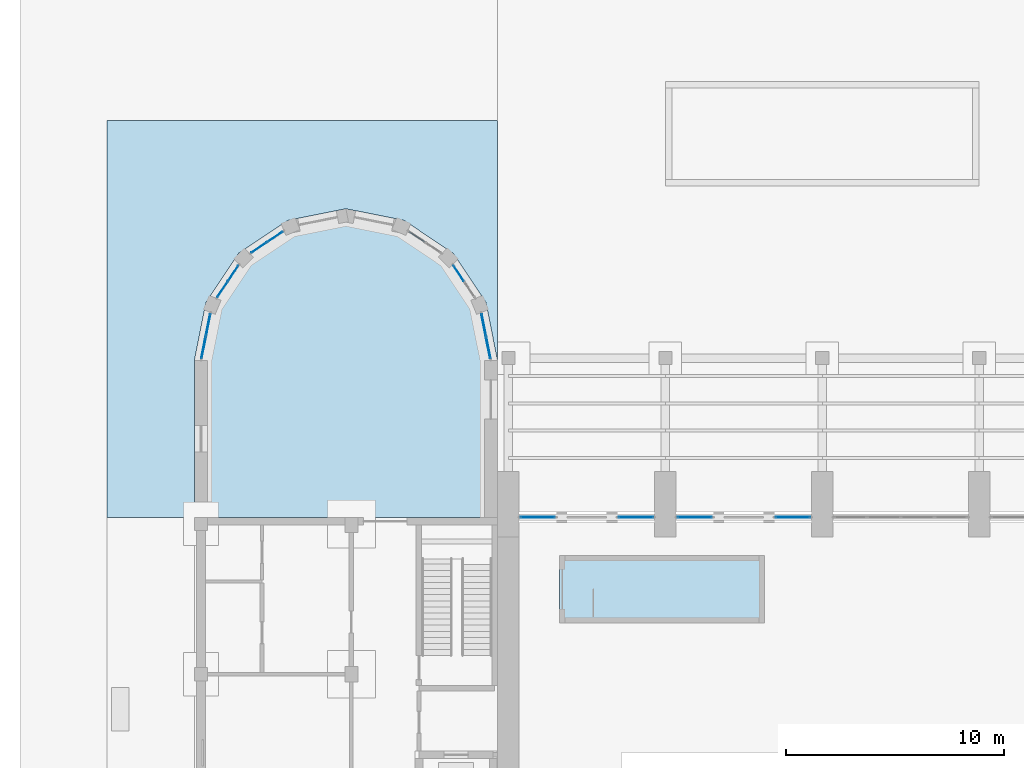
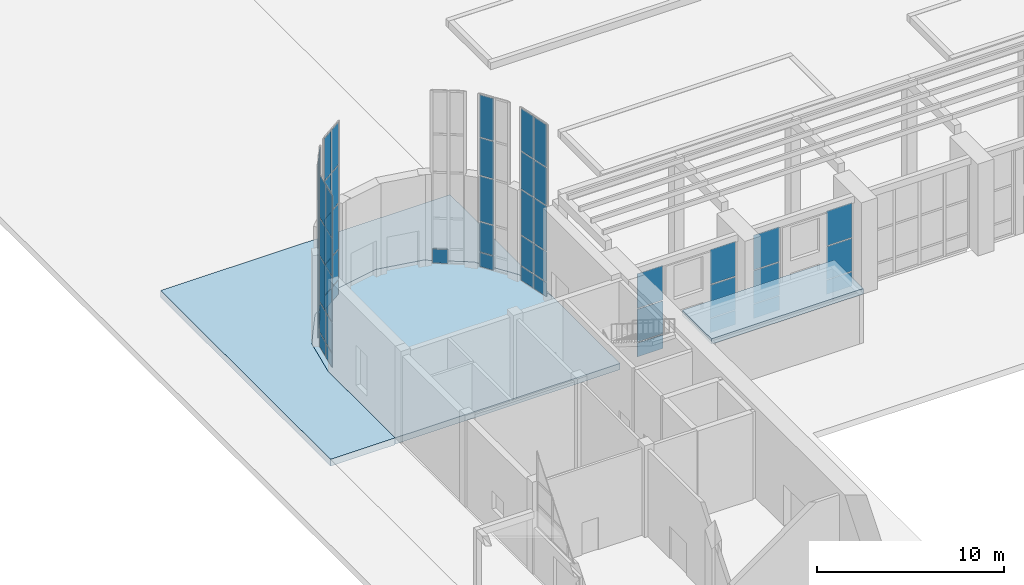
# One storey, part 31 of 70: 58 plates, 3 slabs, 10 elements without a shape of their own.
"""IFC4 building model written with IfcOpenShell, lengths in metres."""

import ifcopenshell
import ifcopenshell.guid

model = None  # the IFC model being written
_history = None  # IfcOwnerHistory: only IFC2X3 demands one
_inside = {}  # id of a spatial element -> (the spatial element, [elements in it])
_under = {}  # id of a project, library or spatial element -> (it, [spatial elements below it])
_declared = {}  # id of a project -> (the project, [libraries it declares])
_typed = {}  # id of a type object -> (the type object, [elements of that type])
_made_of = {}  # id of a material, layer set ... -> (it, [elements and type objects made of it])


def new_model(schema):
    """Start an empty IFC model of exactly this schema.

    Asked for "IFC4X3", IfcOpenShell would pick the latest addendum, in which some entities
    have other attributes; the version numbers below select the first issue.
    IFC2X3 requires an IfcOwnerHistory on every rooted entity: one is made here for all.
    """
    global model, _history
    if schema == "IFC4X3":
        model = ifcopenshell.file(schema_version=(4, 3, 0, 0))
    else:
        model = ifcopenshell.file(schema=schema)
    _inside.clear()
    _under.clear()
    _declared.clear()
    _typed.clear()
    _made_of.clear()
    _history = None
    if model.schema == "IFC2X3":
        org = make("IfcOrganization", Name="unknown")
        user = make(
            "IfcPersonAndOrganization",
            ThePerson=make("IfcPerson", FamilyName="unknown"),
            TheOrganization=org,
        )
        app = make(
            "IfcApplication",
            ApplicationDeveloper=org,
            Version="unknown",
            ApplicationFullName="unknown",
            ApplicationIdentifier="unknown",
        )
        _history = make(
            "IfcOwnerHistory",
            OwningUser=user,
            OwningApplication=app,
            ChangeAction="ADDED",
            CreationDate=0,
        )
    return model


def make(cls, **values):
    """One entity of the class cls with the attributes given. An attribute that is None is left unset."""
    return model.create_entity(
        cls, **{name: value for name, value in values.items() if value is not None}
    )


def rooted(cls, **values):
    """An entity with a GlobalId (a new one), such as an element, a storey or a relation."""
    return make(cls, GlobalId=ifcopenshell.guid.new(), OwnerHistory=_history, **values)


def si_unit(unit_type, name, prefix=None):
    """IfcSIUnit, for example si_unit("LENGTHUNIT", "METRE", prefix="MILLI")."""
    return make("IfcSIUnit", UnitType=unit_type, Prefix=prefix, Name=name)


def assignment(units):
    """IfcUnitAssignment: the units of a project."""
    return None if units is None else make("IfcUnitAssignment", Units=units)


def point(xyz):
    """IfcCartesianPoint."""
    return None if xyz is None else make("IfcCartesianPoint", Coordinates=xyz)


def direction(xyz):
    """IfcDirection."""
    return None if xyz is None else make("IfcDirection", DirectionRatios=xyz)


def frame(location, z_axis=None, x_axis=None):
    """IfcAxis2Placement3D, a coordinate frame: its origin and axes. An axis left out is left unset."""
    return make(
        "IfcAxis2Placement3D",
        Location=point(location),
        Axis=direction(z_axis),
        RefDirection=direction(x_axis),
    )


def frame_2d(location, x_axis=None):
    """IfcAxis2Placement2D, a coordinate frame in the plane: its origin and x axis."""
    return make(
        "IfcAxis2Placement2D", Location=point(location), RefDirection=direction(x_axis)
    )


def origin():
    """The frame at (0, 0, 0) with its axes left unset."""
    return frame((0.0, 0.0, 0.0))


def origin_2d():
    """The frame at (0, 0) in the plane with its x axis left unset."""
    return frame_2d((0.0, 0.0))


def place(relative_to, where):
    """IfcLocalPlacement: puts the frame where relative to a parent placement (None: the world)."""
    return make(
        "IfcLocalPlacement", PlacementRelTo=relative_to, RelativePlacement=where
    )


def context(
    kind, dimensions, precision=None, world=None, true_north=None, identifier=None
):
    """IfcGeometricRepresentationContext, for example the 3D "Model" context."""
    return make(
        "IfcGeometricRepresentationContext",
        ContextIdentifier=identifier,
        ContextType=kind,
        CoordinateSpaceDimension=dimensions,
        Precision=precision,
        WorldCoordinateSystem=world,
        TrueNorth=true_north,
    )


def subcontext(parent, identifier, kind, view, scale=None):
    """IfcGeometricRepresentationSubContext, for example "Body" below "Model"."""
    return make(
        "IfcGeometricRepresentationSubContext",
        ContextIdentifier=identifier,
        ContextType=kind,
        ParentContext=parent,
        TargetScale=scale,
        TargetView=view,
    )


def project(units=None, contexts=None):
    """IfcProject with its units and contexts."""
    return rooted(
        "IfcProject",
        Name="project",
        RepresentationContexts=contexts,
        UnitsInContext=assignment(units),
    )


def spatial(cls, under=None, at=None, **own):
    """A site, building, storey or space (cls), placed at a placement, below another one or the project."""
    s = rooted(cls, ObjectPlacement=at, **own)
    if under is not None:
        _under.setdefault(under.id(), (under, []))[1].append(s)
    return s


def polyline(points):
    """IfcPolyline through the points."""
    return make("IfcPolyline", Points=[point(p) for p in points])


def profile(cls, at=None, kind="AREA", **sizes):
    """A parametric profile (cls). Its sizes go by their IFC names, for example OverallWidth=200.0."""
    return make(cls, ProfileType=kind, Position=at, **sizes)


def rectangle(**sizes):
    """IfcRectangleProfileDef."""
    return profile("IfcRectangleProfileDef", **sizes)


def outline(outer, holes=None, kind="AREA"):
    """IfcArbitraryClosedProfileDef: a profile drawn as a closed curve; with holes, ...WithVoids."""
    if holes is None:
        return make("IfcArbitraryClosedProfileDef", ProfileType=kind, OuterCurve=outer)
    return make(
        "IfcArbitraryProfileDefWithVoids",
        ProfileType=kind,
        OuterCurve=outer,
        InnerCurves=holes,
    )


def extrude(swept, where, along, depth):
    """IfcExtrudedAreaSolid: the profile swept, set in the frame where, extruded along a direction by depth."""
    return make(
        "IfcExtrudedAreaSolid",
        SweptArea=swept,
        Position=where,
        ExtrudedDirection=direction(along),
        Depth=depth,
    )


def shape(context_of_items, identifier, shape_type, items):
    """IfcShapeRepresentation: the items that make up one representation, for example the "Body"."""
    return make(
        "IfcShapeRepresentation",
        ContextOfItems=context_of_items,
        RepresentationIdentifier=identifier,
        RepresentationType=shape_type,
        Items=items,
    )


def material(Name=None, Category=None):
    """IfcMaterial."""
    return make("IfcMaterial", Name=Name, Category=Category)


def layer(
    of_material, thickness, ventilated=None, Name=None, Category=None, Priority=None
):
    """IfcMaterialLayer: one layer of a wall or slab, of a material (None: an air gap)."""
    return make(
        "IfcMaterialLayer",
        Material=of_material,
        LayerThickness=thickness,
        IsVentilated=ventilated,
        Name=Name,
        Category=Category,
        Priority=Priority,
    )


def layer_set(layers, Name=None):
    """IfcMaterialLayerSet."""
    return make("IfcMaterialLayerSet", MaterialLayers=layers, LayerSetName=Name)


def made_of(thing, what):
    """Note that an element or type object is made of a material, layer set ...; save() writes the relation."""
    if what is not None:
        _made_of.setdefault(what.id(), (what, []))[1].append(thing)
    return thing


def type_object(cls, material=None, **own):
    """A type object (cls), such as IfcWallType, which elements share."""
    return made_of(rooted(cls, **own), material)


def element(
    cls,
    number,
    at=None,
    inside=None,
    cuts=None,
    type_object=None,
    material=None,
    context=None,
    identifier="Body",
    shape_type=None,
    held_by="IfcProductDefinitionShape",
    body=None,
    shapes=None,
    **own,
):
    """One element of the class cls, such as IfcWall. Its Tag is "e" and its number.

    at: its placement. inside: the storey or other place that contains it. cuts: it is an
    opening in that element (IfcRelVoidsElement). A single representation is given by context,
    identifier, shape_type and body (its items); several are given by shapes. held_by: the class
    of the entity that holds the representations. save() writes the other relations.
    """
    e = rooted(cls, Tag="e%d" % number, ObjectPlacement=at, **own)
    if body is not None:
        shapes = [shape(context, identifier, shape_type, body)]
    if shapes is not None:
        e.Representation = make(held_by, Representations=shapes)
    if inside is not None:
        _inside.setdefault(inside.id(), (inside, []))[1].append(e)
    if cuts is not None:
        rooted(
            "IfcRelVoidsElement", RelatingBuildingElement=cuts, RelatedOpeningElement=e
        )
    if type_object is not None:
        _typed.setdefault(type_object.id(), (type_object, []))[1].append(e)
    return made_of(e, material)


def aggregate(whole, parts):
    """IfcRelAggregates: a whole, such as a stair, and the parts it consists of."""
    return rooted("IfcRelAggregates", RelatingObject=whole, RelatedObjects=parts)


def save(model, path):
    """Write the relations noted so far, then the file.

    IfcRelAggregates (storeys below a building ...), IfcRelContainedInSpatialStructure (elements
    in a storey), IfcRelDefinesByType, IfcRelAssociatesMaterial and IfcRelDeclares: one each for
    every whole, place, type object, material and project.
    """
    for whole, parts in _under.values():
        aggregate(whole, parts)
    for where, things in _inside.values():
        rooted(
            "IfcRelContainedInSpatialStructure",
            RelatedElements=things,
            RelatingStructure=where,
        )
    for kind, things in _typed.values():
        rooted("IfcRelDefinesByType", RelatedObjects=things, RelatingType=kind)
    for what, things in _made_of.values():
        rooted("IfcRelAssociatesMaterial", RelatedObjects=things, RelatingMaterial=what)
    for by, libraries in _declared.values():
        rooted("IfcRelDeclares", RelatingContext=by, RelatedDefinitions=libraries)
    model.write(path)


model = new_model("IFC4")

# Units and contexts
model_context = context("Model", 3, precision=1e-05, world=origin(), true_north=direction((0.0, 1.0)))
body_context = subcontext(model_context, "Body", "Model", "MODEL_VIEW")
ifc_project = project(units=[si_unit("LENGTHUNIT", "METRE"), si_unit("AREAUNIT", "SQUARE_METRE"), si_unit("VOLUMEUNIT", "CUBIC_METRE"), si_unit("PLANEANGLEUNIT", "RADIAN"), si_unit("MASSUNIT", "GRAM", prefix="KILO")], contexts=[model_context])

# Site, building, storey
site_placement = place(None, origin())
site = spatial("IfcSite", under=ifc_project, at=site_placement, CompositionType="ELEMENT")
building_placement = place(site_placement, origin())
building = spatial("IfcBuilding", under=site, at=building_placement, Name="Vermilion Court Aquatics Centre", CompositionType="ELEMENT")
storey_placement = place(building_placement, origin())
storey = spatial("IfcBuildingStorey", under=building, at=storey_placement, Name="L00", CompositionType="ELEMENT", Elevation=0.0)

# Curtain wall, plates
ifc_material_1 = material(Name="Aluminium 6063-T5", Category="aluminium")
curtain_wall_type_1 = type_object("IfcCurtainWallType", Name="Envelope curtain wall hall glazing L00", PredefinedType="NOTDEFINED", material=ifc_material_1)
curtain_wall_1_placement = place(storey_placement, origin())
curtain_wall_1 = element("IfcCurtainWall", 1, at=curtain_wall_1_placement, inside=storey, type_object=curtain_wall_type_1, Name="Hall entrance sidelight bay 1 L00 W", PredefinedType="NOTDEFINED")
ifc_material_2 = material(Name="Glazing", Category="glass")
ifc_layer_1 = layer(ifc_material_2, 0.028076171875)
ifc_layer_set_1 = layer_set([ifc_layer_1], Name="Envelope insulated glazing panel 28")
plate_type_1 = type_object("IfcPlateType", Name="Envelope insulated glazing panel 28", PredefinedType="CURTAIN_PANEL", material=ifc_layer_set_1)
plate_1_placement = place(storey_placement, frame((15.75, 64.800048828125, 0.06005859375), z_axis=(0.0, 0.0, 1.0), x_axis=(1.0, 0.0, 0.0)))
plate_1 = element("IfcPlate", 2, at=plate_1_placement, type_object=plate_type_1, Name="ECW1 panel 1.1", PredefinedType="CURTAIN_PANEL", context=body_context, shape_type="SweptSolid", body=[
    extrude(rectangle(XDim=1.580078125, YDim=0.028076171875, at=origin_2d()), origin(), (0.0, 0.0, 1.0), 0.909912109375),
])
plate_2_placement = place(storey_placement, frame((15.75, 64.800048828125, 1.0302734375), z_axis=(0.0, 0.0, 1.0), x_axis=(1.0, 0.0, 0.0)))
plate_2 = element("IfcPlate", 3, at=plate_2_placement, type_object=plate_type_1, Name="ECW1 panel 1.2", PredefinedType="CURTAIN_PANEL", context=body_context, shape_type="SweptSolid", body=[
    extrude(rectangle(XDim=1.580078125, YDim=0.028076171875, at=origin_2d()), origin(), (0.0, 0.0, 1.0), 2.139892578125),
])
plate_3_placement = place(storey_placement, frame((15.75, 64.800048828125, 3.22998046875), z_axis=(0.0, 0.0, 1.0), x_axis=(1.0, 0.0, 0.0)))
plate_3 = element("IfcPlate", 4, at=plate_3_placement, type_object=plate_type_1, Name="ECW1 panel 1.3", PredefinedType="CURTAIN_PANEL", context=body_context, shape_type="SweptSolid", body=[
    extrude(rectangle(XDim=1.580078125, YDim=0.028076171875, at=origin_2d()), origin(), (0.0, 0.0, 1.0), 2.260009765625),
])
aggregate(curtain_wall_1, [plate_1, plate_2, plate_3])

curtain_wall_2_placement = place(storey_placement, origin())
curtain_wall_2 = element("IfcCurtainWall", 5, at=curtain_wall_2_placement, inside=storey, type_object=curtain_wall_type_1, Name="Hall entrance sidelight bay 1 L00 E", PredefinedType="NOTDEFINED")
plate_4_placement = place(storey_placement, frame((20.25, 64.800048828125, 0.06005859375), z_axis=(0.0, 0.0, 1.0), x_axis=(1.0, 0.0, 0.0)))
plate_4 = element("IfcPlate", 6, at=plate_4_placement, type_object=plate_type_1, Name="ECW1 panel 1.1", PredefinedType="CURTAIN_PANEL", context=body_context, shape_type="SweptSolid", body=[
    extrude(rectangle(XDim=1.580078125, YDim=0.028076171875, at=origin_2d()), origin(), (0.0, 0.0, 1.0), 0.909912109375),
])
plate_5_placement = place(storey_placement, frame((20.25, 64.800048828125, 1.0302734375), z_axis=(0.0, 0.0, 1.0), x_axis=(1.0, 0.0, 0.0)))
plate_5 = element("IfcPlate", 7, at=plate_5_placement, type_object=plate_type_1, Name="ECW1 panel 1.2", PredefinedType="CURTAIN_PANEL", context=body_context, shape_type="SweptSolid", body=[
    extrude(rectangle(XDim=1.580078125, YDim=0.028076171875, at=origin_2d()), origin(), (0.0, 0.0, 1.0), 2.139892578125),
])
plate_6_placement = place(storey_placement, frame((20.25, 64.800048828125, 3.22998046875), z_axis=(0.0, 0.0, 1.0), x_axis=(1.0, 0.0, 0.0)))
plate_6 = element("IfcPlate", 8, at=plate_6_placement, type_object=plate_type_1, Name="ECW1 panel 1.3", PredefinedType="CURTAIN_PANEL", context=body_context, shape_type="SweptSolid", body=[
    extrude(rectangle(XDim=1.580078125, YDim=0.028076171875, at=origin_2d()), origin(), (0.0, 0.0, 1.0), 2.260009765625),
])
aggregate(curtain_wall_2, [plate_4, plate_5, plate_6])

curtain_wall_3_placement = place(storey_placement, origin())
curtain_wall_3 = element("IfcCurtainWall", 9, at=curtain_wall_3_placement, inside=storey, type_object=curtain_wall_type_1, Name="Hall entrance sidelight bay 2 L00 W", PredefinedType="NOTDEFINED")
plate_7_placement = place(storey_placement, frame((22.949951171875, 64.800048828125, 0.06005859375), z_axis=(0.0, 0.0, 1.0), x_axis=(1.0, 0.0, 0.0)))
plate_7 = element("IfcPlate", 10, at=plate_7_placement, type_object=plate_type_1, Name="ECW1 panel 1.1", PredefinedType="CURTAIN_PANEL", context=body_context, shape_type="SweptSolid", body=[
    extrude(rectangle(XDim=1.580078125, YDim=0.028076171875, at=origin_2d()), origin(), (0.0, 0.0, 1.0), 0.909912109375),
])
plate_8_placement = place(storey_placement, frame((22.949951171875, 64.800048828125, 1.0302734375), z_axis=(0.0, 0.0, 1.0), x_axis=(1.0, 0.0, 0.0)))
plate_8 = element("IfcPlate", 11, at=plate_8_placement, type_object=plate_type_1, Name="ECW1 panel 1.2", PredefinedType="CURTAIN_PANEL", context=body_context, shape_type="SweptSolid", body=[
    extrude(rectangle(XDim=1.580078125, YDim=0.028076171875, at=origin_2d()), origin(), (0.0, 0.0, 1.0), 2.139892578125),
])
plate_9_placement = place(storey_placement, frame((22.949951171875, 64.800048828125, 3.22998046875), z_axis=(0.0, 0.0, 1.0), x_axis=(1.0, 0.0, 0.0)))
plate_9 = element("IfcPlate", 12, at=plate_9_placement, type_object=plate_type_1, Name="ECW1 panel 1.3", PredefinedType="CURTAIN_PANEL", context=body_context, shape_type="SweptSolid", body=[
    extrude(rectangle(XDim=1.580078125, YDim=0.028076171875, at=origin_2d()), origin(), (0.0, 0.0, 1.0), 2.260009765625),
])
aggregate(curtain_wall_3, [plate_7, plate_8, plate_9])

curtain_wall_4_placement = place(storey_placement, origin())
curtain_wall_4 = element("IfcCurtainWall", 13, at=curtain_wall_4_placement, inside=storey, type_object=curtain_wall_type_1, Name="Hall entrance sidelight bay 2 L00 E", PredefinedType="NOTDEFINED")
plate_10_placement = place(storey_placement, frame((27.449951171875, 64.800048828125, 0.06005859375), z_axis=(0.0, 0.0, 1.0), x_axis=(1.0, 0.0, 0.0)))
plate_10 = element("IfcPlate", 14, at=plate_10_placement, type_object=plate_type_1, Name="ECW1 panel 1.1", PredefinedType="CURTAIN_PANEL", context=body_context, shape_type="SweptSolid", body=[
    extrude(rectangle(XDim=1.580078125, YDim=0.028076171875, at=origin_2d()), origin(), (0.0, 0.0, 1.0), 0.909912109375),
])
plate_11_placement = place(storey_placement, frame((27.449951171875, 64.800048828125, 1.0302734375), z_axis=(0.0, 0.0, 1.0), x_axis=(1.0, 0.0, 0.0)))
plate_11 = element("IfcPlate", 15, at=plate_11_placement, type_object=plate_type_1, Name="ECW1 panel 1.2", PredefinedType="CURTAIN_PANEL", context=body_context, shape_type="SweptSolid", body=[
    extrude(rectangle(XDim=1.580078125, YDim=0.028076171875, at=origin_2d()), origin(), (0.0, 0.0, 1.0), 2.139892578125),
])
plate_12_placement = place(storey_placement, frame((27.449951171875, 64.800048828125, 3.22998046875), z_axis=(0.0, 0.0, 1.0), x_axis=(1.0, 0.0, 0.0)))
plate_12 = element("IfcPlate", 16, at=plate_12_placement, type_object=plate_type_1, Name="ECW1 panel 1.3", PredefinedType="CURTAIN_PANEL", context=body_context, shape_type="SweptSolid", body=[
    extrude(rectangle(XDim=1.580078125, YDim=0.028076171875, at=origin_2d()), origin(), (0.0, 0.0, 1.0), 2.260009765625),
])
aggregate(curtain_wall_4, [plate_10, plate_11, plate_12])

ifc_material_3 = material(Name="Aluminium 6063-T5", Category="aluminium")
curtain_wall_type_2 = type_object("IfcCurtainWallType", Name="Rotunda curtain wall", PredefinedType="NOTDEFINED", material=ifc_material_3)
curtain_wall_5_placement = place(storey_placement, origin())
curtain_wall_5 = element("IfcCurtainWall", 17, at=curtain_wall_5_placement, inside=storey, type_object=curtain_wall_type_2, Name="Rotunda curtain wall", PredefinedType="NOTDEFINED")
ifc_material_4 = material(Name="Glazing", Category="glass")
ifc_layer_2 = layer(ifc_material_4, 0.028076171875)
ifc_layer_set_2 = layer_set([ifc_layer_2], Name="Foyer glazing panel 28")
plate_type_2 = type_object("IfcPlateType", Name="Foyer glazing panel 28", PredefinedType="CURTAIN_PANEL", material=ifc_layer_set_2)
plate_13_placement = place(storey_placement, frame((0.421142578125, 72.580078125, 1.030029296875), z_axis=(0.0, 0.0, 1.0), x_axis=(0.195095361156, 0.980784278042, 0.0)))
plate_13 = element("IfcPlate", 18, at=plate_13_placement, type_object=plate_type_2, Name="HRT8 panel 1.2", PredefinedType="CURTAIN_PANEL", context=body_context, shape_type="SweptSolid", body=[
    extrude(rectangle(XDim=1.002685546875, YDim=0.028076171875, at=origin_2d()), origin(), (0.0, 0.0, 1.0), 1.93994140625),
])
plate_14_placement = place(storey_placement, frame((0.421142578125, 72.580078125, 3.030029296875), z_axis=(0.0, 0.0, 1.0), x_axis=(0.195095361156, 0.980784278042, 0.0)))
plate_14 = element("IfcPlate", 19, at=plate_14_placement, type_object=plate_type_2, Name="HRT8 panel 1.3", PredefinedType="CURTAIN_PANEL", context=body_context, shape_type="SweptSolid", body=[
    extrude(rectangle(XDim=1.002685546875, YDim=0.028076171875, at=origin_2d()), origin(), (0.0, 0.0, 1.0), 2.93994140625),
])
plate_15_placement = place(storey_placement, frame((0.421142578125, 72.580078125, 6.030029296875), z_axis=(0.0, 0.0, 1.0), x_axis=(0.195095361156, 0.980784278042, 0.0)))
plate_15 = element("IfcPlate", 20, at=plate_15_placement, type_object=plate_type_2, Name="HRT8 panel 1.4", PredefinedType="CURTAIN_PANEL", context=body_context, shape_type="SweptSolid", body=[
    extrude(rectangle(XDim=1.002685546875, YDim=0.028076171875, at=origin_2d()), origin(), (0.0, 0.0, 1.0), 2.43994140625),
])
plate_16_placement = place(storey_placement, frame((0.421142578125, 72.580078125, 8.52978515625), z_axis=(0.0, 0.0, 1.0), x_axis=(0.195095361156, 0.980784278042, 0.0)))
plate_16 = element("IfcPlate", 21, at=plate_16_placement, type_object=plate_type_2, Name="HRT8 panel 1.5", PredefinedType="CURTAIN_PANEL", context=body_context, shape_type="SweptSolid", body=[
    extrude(rectangle(XDim=1.002685546875, YDim=0.028076171875, at=origin_2d()), origin(), (0.0, 0.0, 1.0), 2.760009765625),
])
plate_17_placement = place(storey_placement, frame((0.628662109375, 73.622314453125, 1.030029296875), z_axis=(0.0, 0.0, 1.0), x_axis=(0.195095361156, 0.980784278042, 0.0)))
plate_17 = element("IfcPlate", 22, at=plate_17_placement, type_object=plate_type_2, Name="HRT8 panel 2.2", PredefinedType="CURTAIN_PANEL", context=body_context, shape_type="SweptSolid", body=[
    extrude(rectangle(XDim=1.002685546875, YDim=0.028076171875, at=origin_2d()), origin(), (0.0, 0.0, 1.0), 1.93994140625),
])
plate_18_placement = place(storey_placement, frame((0.628662109375, 73.622314453125, 3.030029296875), z_axis=(0.0, 0.0, 1.0), x_axis=(0.195095361156, 0.980784278042, 0.0)))
plate_18 = element("IfcPlate", 23, at=plate_18_placement, type_object=plate_type_2, Name="HRT8 panel 2.3", PredefinedType="CURTAIN_PANEL", context=body_context, shape_type="SweptSolid", body=[
    extrude(rectangle(XDim=1.002685546875, YDim=0.028076171875, at=origin_2d()), origin(), (0.0, 0.0, 1.0), 2.93994140625),
])
plate_19_placement = place(storey_placement, frame((0.628662109375, 73.622314453125, 6.030029296875), z_axis=(0.0, 0.0, 1.0), x_axis=(0.195095361156, 0.980784278042, 0.0)))
plate_19 = element("IfcPlate", 24, at=plate_19_placement, type_object=plate_type_2, Name="HRT8 panel 2.4", PredefinedType="CURTAIN_PANEL", context=body_context, shape_type="SweptSolid", body=[
    extrude(rectangle(XDim=1.002685546875, YDim=0.028076171875, at=origin_2d()), origin(), (0.0, 0.0, 1.0), 2.43994140625),
])
plate_20_placement = place(storey_placement, frame((0.628662109375, 73.622314453125, 8.52978515625), z_axis=(0.0, 0.0, 1.0), x_axis=(0.195095361156, 0.980784278042, 0.0)))
plate_20 = element("IfcPlate", 25, at=plate_20_placement, type_object=plate_type_2, Name="HRT8 panel 2.5", PredefinedType="CURTAIN_PANEL", context=body_context, shape_type="SweptSolid", body=[
    extrude(rectangle(XDim=1.002685546875, YDim=0.028076171875, at=origin_2d()), origin(), (0.0, 0.0, 1.0), 2.760009765625),
])

curtain_wall_6_placement = place(storey_placement, origin())
curtain_wall_6 = element("IfcCurtainWall", 26, at=curtain_wall_6_placement, inside=storey, type_object=curtain_wall_type_2, Name="Rotunda curtain wall", PredefinedType="NOTDEFINED")
plate_21_placement = place(storey_placement, frame((1.28466796875, 75.25048828125, 1.030029296875), z_axis=(0.0, 0.0, 1.0), x_axis=(0.555540785725, 0.831489287601, 0.0)))
plate_21 = element("IfcPlate", 27, at=plate_21_placement, type_object=plate_type_2, Name="HRT8 panel 1.2", PredefinedType="CURTAIN_PANEL", context=body_context, shape_type="SweptSolid", body=[
    extrude(rectangle(XDim=0.829345703125, YDim=0.028076171875, at=origin_2d()), origin(), (0.0, 0.0, 1.0), 1.93994140625),
])
plate_22_placement = place(storey_placement, frame((1.28466796875, 75.25048828125, 3.030029296875), z_axis=(0.0, 0.0, 1.0), x_axis=(0.555540785725, 0.831489287601, 0.0)))
plate_22 = element("IfcPlate", 28, at=plate_22_placement, type_object=plate_type_2, Name="HRT8 panel 1.3", PredefinedType="CURTAIN_PANEL", context=body_context, shape_type="SweptSolid", body=[
    extrude(rectangle(XDim=0.829345703125, YDim=0.028076171875, at=origin_2d()), origin(), (0.0, 0.0, 1.0), 2.93994140625),
])
plate_23_placement = place(storey_placement, frame((1.28466796875, 75.25048828125, 6.030029296875), z_axis=(0.0, 0.0, 1.0), x_axis=(0.555540785725, 0.831489287601, 0.0)))
plate_23 = element("IfcPlate", 29, at=plate_23_placement, type_object=plate_type_2, Name="HRT8 panel 1.4", PredefinedType="CURTAIN_PANEL", context=body_context, shape_type="SweptSolid", body=[
    extrude(rectangle(XDim=0.829345703125, YDim=0.028076171875, at=origin_2d()), origin(), (0.0, 0.0, 1.0), 2.43994140625),
])
plate_24_placement = place(storey_placement, frame((1.28466796875, 75.25048828125, 8.52978515625), z_axis=(0.0, 0.0, 1.0), x_axis=(0.555540785725, 0.831489287601, 0.0)))
plate_24 = element("IfcPlate", 30, at=plate_24_placement, type_object=plate_type_2, Name="HRT8 panel 1.5", PredefinedType="CURTAIN_PANEL", context=body_context, shape_type="SweptSolid", body=[
    extrude(rectangle(XDim=0.829345703125, YDim=0.028076171875, at=origin_2d()), origin(), (0.0, 0.0, 1.0), 2.760009765625),
])
plate_25_placement = place(storey_placement, frame((1.77880859375, 75.989990234375, 1.030029296875), z_axis=(0.0, 0.0, 1.0), x_axis=(0.555540785725, 0.831489287601, 0.0)))
plate_25 = element("IfcPlate", 31, at=plate_25_placement, type_object=plate_type_2, Name="HRT8 panel 2.2", PredefinedType="CURTAIN_PANEL", context=body_context, shape_type="SweptSolid", body=[
    extrude(rectangle(XDim=0.829345703125, YDim=0.028076171875, at=origin_2d()), origin(), (0.0, 0.0, 1.0), 1.93994140625),
])
plate_26_placement = place(storey_placement, frame((1.77880859375, 75.989990234375, 3.030029296875), z_axis=(0.0, 0.0, 1.0), x_axis=(0.555540785725, 0.831489287601, 0.0)))
plate_26 = element("IfcPlate", 32, at=plate_26_placement, type_object=plate_type_2, Name="HRT8 panel 2.3", PredefinedType="CURTAIN_PANEL", context=body_context, shape_type="SweptSolid", body=[
    extrude(rectangle(XDim=0.829345703125, YDim=0.028076171875, at=origin_2d()), origin(), (0.0, 0.0, 1.0), 2.93994140625),
])
plate_27_placement = place(storey_placement, frame((1.77880859375, 75.989990234375, 6.030029296875), z_axis=(0.0, 0.0, 1.0), x_axis=(0.555540785725, 0.831489287601, 0.0)))
plate_27 = element("IfcPlate", 33, at=plate_27_placement, type_object=plate_type_2, Name="HRT8 panel 2.4", PredefinedType="CURTAIN_PANEL", context=body_context, shape_type="SweptSolid", body=[
    extrude(rectangle(XDim=0.829345703125, YDim=0.028076171875, at=origin_2d()), origin(), (0.0, 0.0, 1.0), 2.43994140625),
])
plate_28_placement = place(storey_placement, frame((1.77880859375, 75.989990234375, 8.52978515625), z_axis=(0.0, 0.0, 1.0), x_axis=(0.555540785725, 0.831489287601, 0.0)))
plate_28 = element("IfcPlate", 34, at=plate_28_placement, type_object=plate_type_2, Name="HRT8 panel 2.5", PredefinedType="CURTAIN_PANEL", context=body_context, shape_type="SweptSolid", body=[
    extrude(rectangle(XDim=0.829345703125, YDim=0.028076171875, at=origin_2d()), origin(), (0.0, 0.0, 1.0), 2.760009765625),
])

curtain_wall_7_placement = place(storey_placement, origin())
curtain_wall_7 = element("IfcCurtainWall", 35, at=curtain_wall_7_placement, inside=storey, type_object=curtain_wall_type_2, Name="Rotunda curtain wall", PredefinedType="NOTDEFINED")
plate_29_placement = place(storey_placement, frame((2.9599609375, 77.171142578125, 1.030029296875), z_axis=(0.0, 0.0, 1.0), x_axis=(0.831489287601, 0.555540785725, 0.0)))
plate_29 = element("IfcPlate", 36, at=plate_29_placement, type_object=plate_type_2, Name="HRT8 panel 1.2", PredefinedType="CURTAIN_PANEL", context=body_context, shape_type="SweptSolid", body=[
    extrude(rectangle(XDim=0.829345703125, YDim=0.028076171875, at=origin_2d()), origin(), (0.0, 0.0, 1.0), 1.93994140625),
])
plate_30_placement = place(storey_placement, frame((2.9599609375, 77.171142578125, 3.030029296875), z_axis=(0.0, 0.0, 1.0), x_axis=(0.831489287601, 0.555540785725, 0.0)))
plate_30 = element("IfcPlate", 37, at=plate_30_placement, type_object=plate_type_2, Name="HRT8 panel 1.3", PredefinedType="CURTAIN_PANEL", context=body_context, shape_type="SweptSolid", body=[
    extrude(rectangle(XDim=0.829345703125, YDim=0.028076171875, at=origin_2d()), origin(), (0.0, 0.0, 1.0), 2.93994140625),
])
plate_31_placement = place(storey_placement, frame((2.9599609375, 77.171142578125, 6.030029296875), z_axis=(0.0, 0.0, 1.0), x_axis=(0.831489287601, 0.555540785725, 0.0)))
plate_31 = element("IfcPlate", 38, at=plate_31_placement, type_object=plate_type_2, Name="HRT8 panel 1.4", PredefinedType="CURTAIN_PANEL", context=body_context, shape_type="SweptSolid", body=[
    extrude(rectangle(XDim=0.829345703125, YDim=0.028076171875, at=origin_2d()), origin(), (0.0, 0.0, 1.0), 2.43994140625),
])
plate_32_placement = place(storey_placement, frame((2.9599609375, 77.171142578125, 8.52978515625), z_axis=(0.0, 0.0, 1.0), x_axis=(0.831489287601, 0.555540785725, 0.0)))
plate_32 = element("IfcPlate", 39, at=plate_32_placement, type_object=plate_type_2, Name="HRT8 panel 1.5", PredefinedType="CURTAIN_PANEL", context=body_context, shape_type="SweptSolid", body=[
    extrude(rectangle(XDim=0.829345703125, YDim=0.028076171875, at=origin_2d()), origin(), (0.0, 0.0, 1.0), 2.760009765625),
])
plate_33_placement = place(storey_placement, frame((3.699462890625, 77.665283203125, 1.030029296875), z_axis=(0.0, 0.0, 1.0), x_axis=(0.831489287601, 0.555540785725, 0.0)))
plate_33 = element("IfcPlate", 40, at=plate_33_placement, type_object=plate_type_2, Name="HRT8 panel 2.2", PredefinedType="CURTAIN_PANEL", context=body_context, shape_type="SweptSolid", body=[
    extrude(rectangle(XDim=0.829345703125, YDim=0.028076171875, at=origin_2d()), origin(), (0.0, 0.0, 1.0), 1.93994140625),
])
plate_34_placement = place(storey_placement, frame((3.699462890625, 77.665283203125, 3.030029296875), z_axis=(0.0, 0.0, 1.0), x_axis=(0.831489287601, 0.555540785725, 0.0)))
plate_34 = element("IfcPlate", 41, at=plate_34_placement, type_object=plate_type_2, Name="HRT8 panel 2.3", PredefinedType="CURTAIN_PANEL", context=body_context, shape_type="SweptSolid", body=[
    extrude(rectangle(XDim=0.829345703125, YDim=0.028076171875, at=origin_2d()), origin(), (0.0, 0.0, 1.0), 2.93994140625),
])
plate_35_placement = place(storey_placement, frame((3.699462890625, 77.665283203125, 6.030029296875), z_axis=(0.0, 0.0, 1.0), x_axis=(0.831489287601, 0.555540785725, 0.0)))
plate_35 = element("IfcPlate", 42, at=plate_35_placement, type_object=plate_type_2, Name="HRT8 panel 2.4", PredefinedType="CURTAIN_PANEL", context=body_context, shape_type="SweptSolid", body=[
    extrude(rectangle(XDim=0.829345703125, YDim=0.028076171875, at=origin_2d()), origin(), (0.0, 0.0, 1.0), 2.43994140625),
])
plate_36_placement = place(storey_placement, frame((3.699462890625, 77.665283203125, 8.52978515625), z_axis=(0.0, 0.0, 1.0), x_axis=(0.831489287601, 0.555540785725, 0.0)))
plate_36 = element("IfcPlate", 43, at=plate_36_placement, type_object=plate_type_2, Name="HRT8 panel 2.5", PredefinedType="CURTAIN_PANEL", context=body_context, shape_type="SweptSolid", body=[
    extrude(rectangle(XDim=0.829345703125, YDim=0.028076171875, at=origin_2d()), origin(), (0.0, 0.0, 1.0), 2.760009765625),
])

curtain_wall_8_placement = place(storey_placement, origin())
curtain_wall_8 = element("IfcCurtainWall", 44, at=curtain_wall_8_placement, inside=storey, type_object=curtain_wall_type_2, Name="Rotunda curtain wall", PredefinedType="NOTDEFINED")
plate_37_placement = place(storey_placement, frame((12.12109375, 75.989990234375, 1.030029296875), z_axis=(0.0, 0.0, 1.0), x_axis=(0.555540785725, -0.831489287601, 0.0)))
plate_37 = element("IfcPlate", 45, at=plate_37_placement, type_object=plate_type_2, Name="HRT8 panel 1.2", PredefinedType="CURTAIN_PANEL", context=body_context, shape_type="SweptSolid", body=[
    extrude(rectangle(XDim=0.829345703125, YDim=0.028076171875, at=origin_2d()), origin(), (0.0, 0.0, 1.0), 1.93994140625),
])
plate_38_placement = place(storey_placement, frame((12.12109375, 75.989990234375, 3.030029296875), z_axis=(0.0, 0.0, 1.0), x_axis=(0.555540785725, -0.831489287601, 0.0)))
plate_38 = element("IfcPlate", 46, at=plate_38_placement, type_object=plate_type_2, Name="HRT8 panel 1.3", PredefinedType="CURTAIN_PANEL", context=body_context, shape_type="SweptSolid", body=[
    extrude(rectangle(XDim=0.829345703125, YDim=0.028076171875, at=origin_2d()), origin(), (0.0, 0.0, 1.0), 2.93994140625),
])
plate_39_placement = place(storey_placement, frame((12.12109375, 75.989990234375, 6.030029296875), z_axis=(0.0, 0.0, 1.0), x_axis=(0.555540785725, -0.831489287601, 0.0)))
plate_39 = element("IfcPlate", 47, at=plate_39_placement, type_object=plate_type_2, Name="HRT8 panel 1.4", PredefinedType="CURTAIN_PANEL", context=body_context, shape_type="SweptSolid", body=[
    extrude(rectangle(XDim=0.829345703125, YDim=0.028076171875, at=origin_2d()), origin(), (0.0, 0.0, 1.0), 2.43994140625),
])
plate_40_placement = place(storey_placement, frame((12.12109375, 75.989990234375, 8.52978515625), z_axis=(0.0, 0.0, 1.0), x_axis=(0.555540785725, -0.831489287601, 0.0)))
plate_40 = element("IfcPlate", 48, at=plate_40_placement, type_object=plate_type_2, Name="HRT8 panel 1.5", PredefinedType="CURTAIN_PANEL", context=body_context, shape_type="SweptSolid", body=[
    extrude(rectangle(XDim=0.829345703125, YDim=0.028076171875, at=origin_2d()), origin(), (0.0, 0.0, 1.0), 2.760009765625),
])

curtain_wall_9_placement = place(storey_placement, origin())
curtain_wall_9 = element("IfcCurtainWall", 49, at=curtain_wall_9_placement, inside=storey, type_object=curtain_wall_type_2, Name="Rotunda curtain wall", PredefinedType="NOTDEFINED")
plate_41_placement = place(storey_placement, frame((13.271484375, 73.622314453125, 1.030029296875), z_axis=(0.0, 0.0, 1.0), x_axis=(0.195095361156, -0.980784278042, 0.0)))
plate_41 = element("IfcPlate", 50, at=plate_41_placement, type_object=plate_type_2, Name="HRT8 panel 1.2", PredefinedType="CURTAIN_PANEL", context=body_context, shape_type="SweptSolid", body=[
    extrude(rectangle(XDim=1.002685546875, YDim=0.028076171875, at=origin_2d()), origin(), (0.0, 0.0, 1.0), 1.93994140625),
])
plate_42_placement = place(storey_placement, frame((13.271484375, 73.622314453125, 3.030029296875), z_axis=(0.0, 0.0, 1.0), x_axis=(0.195095361156, -0.980784278042, 0.0)))
plate_42 = element("IfcPlate", 51, at=plate_42_placement, type_object=plate_type_2, Name="HRT8 panel 1.3", PredefinedType="CURTAIN_PANEL", context=body_context, shape_type="SweptSolid", body=[
    extrude(rectangle(XDim=1.002685546875, YDim=0.028076171875, at=origin_2d()), origin(), (0.0, 0.0, 1.0), 2.93994140625),
])
plate_43_placement = place(storey_placement, frame((13.271484375, 73.622314453125, 6.030029296875), z_axis=(0.0, 0.0, 1.0), x_axis=(0.195095361156, -0.980784278042, 0.0)))
plate_43 = element("IfcPlate", 52, at=plate_43_placement, type_object=plate_type_2, Name="HRT8 panel 1.4", PredefinedType="CURTAIN_PANEL", context=body_context, shape_type="SweptSolid", body=[
    extrude(rectangle(XDim=1.002685546875, YDim=0.028076171875, at=origin_2d()), origin(), (0.0, 0.0, 1.0), 2.43994140625),
])
plate_44_placement = place(storey_placement, frame((13.271484375, 73.622314453125, 8.52978515625), z_axis=(0.0, 0.0, 1.0), x_axis=(0.195095361156, -0.980784278042, 0.0)))
plate_44 = element("IfcPlate", 53, at=plate_44_placement, type_object=plate_type_2, Name="HRT8 panel 1.5", PredefinedType="CURTAIN_PANEL", context=body_context, shape_type="SweptSolid", body=[
    extrude(rectangle(XDim=1.002685546875, YDim=0.028076171875, at=origin_2d()), origin(), (0.0, 0.0, 1.0), 2.760009765625),
])
plate_45_placement = place(storey_placement, frame((13.478759765625, 72.580078125, 1.030029296875), z_axis=(0.0, 0.0, 1.0), x_axis=(0.195095361156, -0.980784278042, 0.0)))
plate_45 = element("IfcPlate", 54, at=plate_45_placement, type_object=plate_type_2, Name="HRT8 panel 2.2", PredefinedType="CURTAIN_PANEL", context=body_context, shape_type="SweptSolid", body=[
    extrude(rectangle(XDim=1.002685546875, YDim=0.028076171875, at=origin_2d()), origin(), (0.0, 0.0, 1.0), 1.93994140625),
])
plate_46_placement = place(storey_placement, frame((13.478759765625, 72.580078125, 3.030029296875), z_axis=(0.0, 0.0, 1.0), x_axis=(0.195095361156, -0.980784278042, 0.0)))
plate_46 = element("IfcPlate", 55, at=plate_46_placement, type_object=plate_type_2, Name="HRT8 panel 2.3", PredefinedType="CURTAIN_PANEL", context=body_context, shape_type="SweptSolid", body=[
    extrude(rectangle(XDim=1.002685546875, YDim=0.028076171875, at=origin_2d()), origin(), (0.0, 0.0, 1.0), 2.93994140625),
])
plate_47_placement = place(storey_placement, frame((13.478759765625, 72.580078125, 6.030029296875), z_axis=(0.0, 0.0, 1.0), x_axis=(0.195095361156, -0.980784278042, 0.0)))
plate_47 = element("IfcPlate", 56, at=plate_47_placement, type_object=plate_type_2, Name="HRT8 panel 2.4", PredefinedType="CURTAIN_PANEL", context=body_context, shape_type="SweptSolid", body=[
    extrude(rectangle(XDim=1.002685546875, YDim=0.028076171875, at=origin_2d()), origin(), (0.0, 0.0, 1.0), 2.43994140625),
])
plate_48_placement = place(storey_placement, frame((13.478759765625, 72.580078125, 8.52978515625), z_axis=(0.0, 0.0, 1.0), x_axis=(0.195095361156, -0.980784278042, 0.0)))
plate_48 = element("IfcPlate", 57, at=plate_48_placement, type_object=plate_type_2, Name="HRT8 panel 2.5", PredefinedType="CURTAIN_PANEL", context=body_context, shape_type="SweptSolid", body=[
    extrude(rectangle(XDim=1.002685546875, YDim=0.028076171875, at=origin_2d()), origin(), (0.0, 0.0, 1.0), 2.760009765625),
])

# Slab
ifc_material_5 = material(Name="Concrete 5000 psi", Category="concrete")
ifc_layer_3 = layer(ifc_material_5, 0.405029296875)
ifc_layer_set_3 = layer_set([ifc_layer_3], Name="Foyer ground slab 405")
slab_type_1 = type_object("IfcSlabType", Name="Foyer ground slab 405", PredefinedType="BASESLAB", material=ifc_layer_set_3)
slab_1_placement = place(storey_placement, frame((0.0, 0.0, -0.405029296875)))
element("IfcSlab", 58, at=slab_1_placement, inside=storey, type_object=slab_type_1, Name="Rotunda ground slab", PredefinedType="BASESLAB", context=body_context, shape_type="SweptSolid", body=[
    extrude(outline(polyline([(0.0, 64.800048828125), (13.89990234375, 64.800048828125), (13.89990234375, 72.0), (13.37109375, 74.65966796875), (11.864501953125, 76.914306640625), (9.609619140625, 78.4208984375), (6.949951171875, 78.949951171875), (4.290283203125, 78.4208984375), (2.03564453125, 76.914306640625), (0.529052734375, 74.65966796875), (0.0, 72.0), (0.0, 64.800048828125)])), origin(), (0.0, 0.0, 1.0), 0.405029296875),
])

# Plate
ifc_material_6 = material(Name="Glazing", Category="glass")
ifc_layer_4 = layer(ifc_material_6, 0.0400390625)
ifc_layer_set_4 = layer_set([ifc_layer_4], Name="Foyer laminated safety panel 40")
plate_type_3 = type_object("IfcPlateType", Name="Foyer laminated safety panel 40", PredefinedType="CURTAIN_PANEL", material=ifc_layer_set_4)
plate_49_placement = place(storey_placement, frame((0.421142578125, 72.580078125, 0.06005859375), z_axis=(0.0, 0.0, 1.0), x_axis=(0.195095361156, 0.980784278042, 0.0)))
plate_49 = element("IfcPlate", 59, at=plate_49_placement, type_object=plate_type_3, Name="HRT8 panel 1.1", PredefinedType="CURTAIN_PANEL", context=body_context, shape_type="SweptSolid", body=[
    extrude(rectangle(XDim=1.002685546875, YDim=0.0400390625, at=origin_2d()), origin(), (0.0, 0.0, 1.0), 0.909912109375),
])

plate_50_placement = place(storey_placement, frame((0.628662109375, 73.622314453125, 0.06005859375), z_axis=(0.0, 0.0, 1.0), x_axis=(0.195095361156, 0.980784278042, 0.0)))
plate_50 = element("IfcPlate", 60, at=plate_50_placement, type_object=plate_type_3, Name="HRT8 panel 2.1", PredefinedType="CURTAIN_PANEL", context=body_context, shape_type="SweptSolid", body=[
    extrude(rectangle(XDim=1.002685546875, YDim=0.0400390625, at=origin_2d()), origin(), (0.0, 0.0, 1.0), 0.909912109375),
])

aggregate(curtain_wall_5, [plate_49, plate_13, plate_14, plate_15, plate_16, plate_50, plate_17, plate_18, plate_19, plate_20])

plate_51_placement = place(storey_placement, frame((1.28466796875, 75.25048828125, 0.06005859375), z_axis=(0.0, 0.0, 1.0), x_axis=(0.555540785725, 0.831489287601, 0.0)))
plate_51 = element("IfcPlate", 61, at=plate_51_placement, type_object=plate_type_3, Name="HRT8 panel 1.1", PredefinedType="CURTAIN_PANEL", context=body_context, shape_type="SweptSolid", body=[
    extrude(rectangle(XDim=0.829345703125, YDim=0.0400390625, at=origin_2d()), origin(), (0.0, 0.0, 1.0), 0.909912109375),
])

plate_52_placement = place(storey_placement, frame((1.77880859375, 75.989990234375, 0.06005859375), z_axis=(0.0, 0.0, 1.0), x_axis=(0.555540785725, 0.831489287601, 0.0)))
plate_52 = element("IfcPlate", 62, at=plate_52_placement, type_object=plate_type_3, Name="HRT8 panel 2.1", PredefinedType="CURTAIN_PANEL", context=body_context, shape_type="SweptSolid", body=[
    extrude(rectangle(XDim=0.829345703125, YDim=0.0400390625, at=origin_2d()), origin(), (0.0, 0.0, 1.0), 0.909912109375),
])

aggregate(curtain_wall_6, [plate_51, plate_21, plate_22, plate_23, plate_24, plate_52, plate_25, plate_26, plate_27, plate_28])

plate_53_placement = place(storey_placement, frame((2.9599609375, 77.171142578125, 0.06005859375), z_axis=(0.0, 0.0, 1.0), x_axis=(0.831489287601, 0.555540785725, 0.0)))
plate_53 = element("IfcPlate", 63, at=plate_53_placement, type_object=plate_type_3, Name="HRT8 panel 1.1", PredefinedType="CURTAIN_PANEL", context=body_context, shape_type="SweptSolid", body=[
    extrude(rectangle(XDim=0.829345703125, YDim=0.0400390625, at=origin_2d()), origin(), (0.0, 0.0, 1.0), 0.909912109375),
])

plate_54_placement = place(storey_placement, frame((3.699462890625, 77.665283203125, 0.06005859375), z_axis=(0.0, 0.0, 1.0), x_axis=(0.831489287601, 0.555540785725, 0.0)))
plate_54 = element("IfcPlate", 64, at=plate_54_placement, type_object=plate_type_3, Name="HRT8 panel 2.1", PredefinedType="CURTAIN_PANEL", context=body_context, shape_type="SweptSolid", body=[
    extrude(rectangle(XDim=0.829345703125, YDim=0.0400390625, at=origin_2d()), origin(), (0.0, 0.0, 1.0), 0.909912109375),
])

aggregate(curtain_wall_7, [plate_53, plate_29, plate_30, plate_31, plate_32, plate_54, plate_33, plate_34, plate_35, plate_36])

# Curtain wall, plate
curtain_wall_10_placement = place(storey_placement, origin())
curtain_wall_10 = element("IfcCurtainWall", 65, at=curtain_wall_10_placement, inside=storey, type_object=curtain_wall_type_2, Name="Rotunda curtain wall", PredefinedType="NOTDEFINED")
plate_55_placement = place(storey_placement, frame((10.20068359375, 77.665283203125, 0.06005859375), z_axis=(0.0, 0.0, 1.0), x_axis=(0.831489287601, -0.555540785725, 0.0)))
plate_55 = element("IfcPlate", 66, at=plate_55_placement, type_object=plate_type_3, Name="HRT8 panel 1.1", PredefinedType="CURTAIN_PANEL", context=body_context, shape_type="SweptSolid", body=[
    extrude(rectangle(XDim=0.829345703125, YDim=0.0400390625, at=origin_2d()), origin(), (0.0, 0.0, 1.0), 0.909912109375),
])
aggregate(curtain_wall_10, [plate_55])

# Plate
plate_56_placement = place(storey_placement, frame((12.12109375, 75.989990234375, 0.06005859375), z_axis=(0.0, 0.0, 1.0), x_axis=(0.555540785725, -0.831489287601, 0.0)))
plate_56 = element("IfcPlate", 67, at=plate_56_placement, type_object=plate_type_3, Name="HRT8 panel 1.1", PredefinedType="CURTAIN_PANEL", context=body_context, shape_type="SweptSolid", body=[
    extrude(rectangle(XDim=0.829345703125, YDim=0.0400390625, at=origin_2d()), origin(), (0.0, 0.0, 1.0), 0.909912109375),
])

aggregate(curtain_wall_8, [plate_56, plate_37, plate_38, plate_39, plate_40])

plate_57_placement = place(storey_placement, frame((13.271484375, 73.622314453125, 0.06005859375), z_axis=(0.0, 0.0, 1.0), x_axis=(0.195095361156, -0.980784278042, 0.0)))
plate_57 = element("IfcPlate", 68, at=plate_57_placement, type_object=plate_type_3, Name="HRT8 panel 1.1", PredefinedType="CURTAIN_PANEL", context=body_context, shape_type="SweptSolid", body=[
    extrude(rectangle(XDim=1.002685546875, YDim=0.0400390625, at=origin_2d()), origin(), (0.0, 0.0, 1.0), 0.909912109375),
])

plate_58_placement = place(storey_placement, frame((13.478759765625, 72.580078125, 0.06005859375), z_axis=(0.0, 0.0, 1.0), x_axis=(0.195095361156, -0.980784278042, 0.0)))
plate_58 = element("IfcPlate", 69, at=plate_58_placement, type_object=plate_type_3, Name="HRT8 panel 2.1", PredefinedType="CURTAIN_PANEL", context=body_context, shape_type="SweptSolid", body=[
    extrude(rectangle(XDim=1.002685546875, YDim=0.0400390625, at=origin_2d()), origin(), (0.0, 0.0, 1.0), 0.909912109375),
])

aggregate(curtain_wall_9, [plate_57, plate_41, plate_42, plate_43, plate_44, plate_58, plate_45, plate_46, plate_47, plate_48])

# Slabs
ifc_material_7 = material(Name="Concrete 5000 psi", Category="concrete")
ifc_layer_5 = layer(ifc_material_7, 0.35009765625)
ifc_layer_set_5 = layer_set([ifc_layer_5], Name="Hall stair lobby roof slab 350")
slab_type_2 = type_object("IfcSlabType", Name="Hall stair lobby roof slab 350", PredefinedType="ROOF", material=ifc_layer_set_5)
slab_2_placement = place(storey_placement, frame((0.0, 0.0, 3.199951171875)))
element("IfcSlab", 70, at=slab_2_placement, inside=storey, type_object=slab_type_2, Name="Stair lobby 3 roof slab", PredefinedType="ROOF", context=body_context, shape_type="SweptSolid", body=[
    extrude(outline(polyline([(16.75, 59.949951171875), (26.14990234375, 59.949951171875), (26.14990234375, 63.050048828125), (16.75, 63.050048828125), (16.75, 59.949951171875)])), origin(), (0.0, 0.0, 1.0), 0.35009765625),
])
ifc_material_8 = material(Name="Concrete 4000 psi", Category="concrete")
ifc_layer_6 = layer(ifc_material_8, 0.449951171875)
ifc_layer_set_6 = layer_set([ifc_layer_6], Name="Rotunda forecourt paving 450")
slab_type_3 = type_object("IfcSlabType", Name="Rotunda forecourt paving 450", PredefinedType="FLOOR", material=ifc_layer_set_6)
slab_3_placement = place(storey_placement, frame((0.0, 0.0, -0.449951171875)))
element("IfcSlab", 71, at=slab_3_placement, inside=storey, type_object=slab_type_3, Name="Rotunda forecourt paving", PredefinedType="FLOOR", context=body_context, shape_type="SweptSolid", body=[
    extrude(outline(polyline([(-4.0, 64.800048828125), (-4.0, 83.0), (13.89990234375, 83.0), (13.89990234375, 72.0), (13.37109375, 74.65966796875), (11.864501953125, 76.914306640625), (9.609619140625, 78.4208984375), (6.949951171875, 78.949951171875), (4.290283203125, 78.4208984375), (2.03564453125, 76.914306640625), (0.529052734375, 74.65966796875), (0.0, 72.0), (0.0, 64.800048828125), (-4.0, 64.800048828125)])), origin(), (0.0, 0.0, 1.0), 0.449951171875),
])

save(model, "model.ifc")
